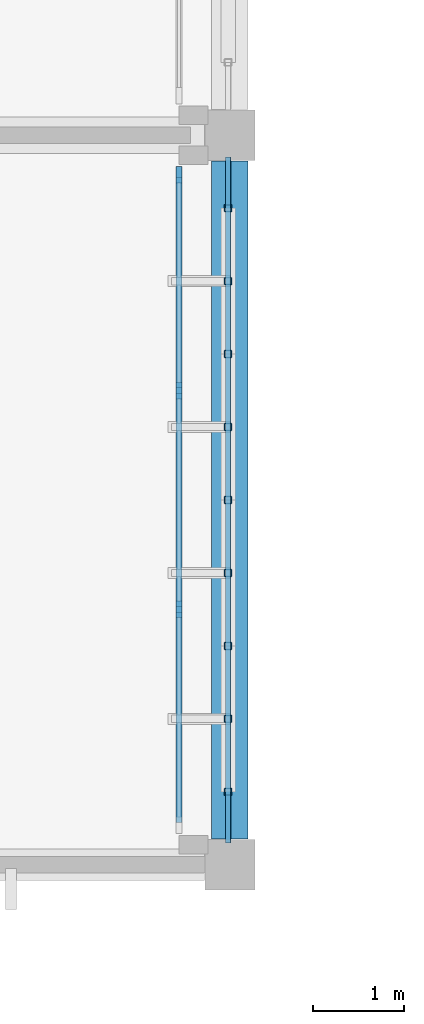
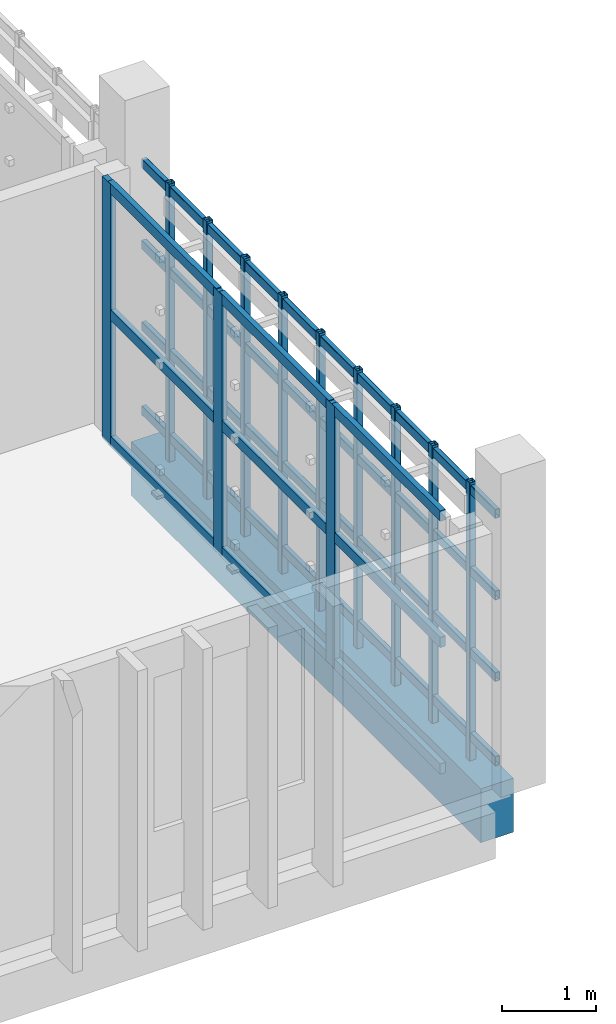
# One storey, part 53 of 83: 25 members, 1 beam, 1 element without a shape of its own.
"""IFC4 building model written with IfcOpenShell, lengths in metres."""

from ifc_helpers import new_model, si_unit, direction, frame, origin, origin_2d, place, context, subcontext, project, spatial, rectangle, hollow_rectangle, extrude, material, layer, layer_set, material_profile, profile_set, type_object, element, aggregate, save


model = new_model("IFC4")

# Units and contexts
model_context = context("Model", 3, precision=1e-05, world=origin(), true_north=direction((0.0, 1.0)))
body_context = subcontext(model_context, "Body", "Model", "MODEL_VIEW")
ifc_project = project(units=[si_unit("LENGTHUNIT", "METRE"), si_unit("AREAUNIT", "SQUARE_METRE"), si_unit("VOLUMEUNIT", "CUBIC_METRE"), si_unit("PLANEANGLEUNIT", "RADIAN"), si_unit("MASSUNIT", "GRAM", prefix="KILO")], contexts=[model_context])

# Site, building, storey
site_placement = place(None, origin())
site = spatial("IfcSite", under=ifc_project, at=site_placement, CompositionType="ELEMENT")
building_placement = place(site_placement, origin())
building = spatial("IfcBuilding", under=site, at=building_placement, Name="Jelvoka-Kovrelna Polytechnic", CompositionType="ELEMENT")
storey_placement = place(building_placement, frame((0.0, 0.0, 13.800048828125)))
storey = spatial("IfcBuildingStorey", under=building, at=storey_placement, Name="L04", CompositionType="ELEMENT", Elevation=13.800048828125)

# Beam
ifc_material_1 = material(Name="Concrete C40/50", Category="concrete")
ifc_material_profile_1 = material_profile(ifc_material_1, rectangle(XDim=0.39990234375, YDim=0.699951171875, at=origin_2d()), Name="RC 400x700")
ifc_profile_set_1 = profile_set([ifc_material_profile_1], Name="Concrete C40/50")
beam_type = type_object("IfcBeamType", Name="Beam_RC_400x700", PredefinedType="BEAM", material=ifc_profile_set_1)
beam_placement = place(storey_placement, frame((192.0, 56.280029296875, -0.60009765625), z_axis=(0.0, 1.0, 0.0), x_axis=(-1.0, 0.0, 0.0)))
element("IfcBeam", 1, at=beam_placement, inside=storey, type_object=beam_type, Name="L04 beam 1340", PredefinedType="BEAM", context=body_context, shape_type="SweptSolid", body=[
    extrude(rectangle(XDim=0.39990234375, YDim=0.699951171875, at=origin_2d()), origin(), (0.0, 0.0, 1.0), 7.43994140625),
])

# Members
ifc_material_2 = material(Name="Structural steel S355J2H", Category="steel")
ifc_material_profile_2 = material_profile(ifc_material_2, hollow_rectangle(XDim=0.06005859375, YDim=0.1201171875, WallThickness=0.0048828125, InnerFilletRadius=0.0048828125, OuterFilletRadius=0.007568359375, at=origin_2d()), Name="120x60x5.0 RHS")
ifc_profile_set_2 = profile_set([ifc_material_profile_2], Name="Structural steel S355J2H")
member_type_1 = type_object("IfcMemberType", Name="Member_Strut_RHS120", PredefinedType="STRUT", material=ifc_profile_set_2)
for number, where, z_axis, x_axis, name in (
    (2, (191.97998046875, 56.239990234375, 0.079833984375), (0.0, 1.0, 0.0), (-1.0, 0.0, 0.0), "L04 terracotta screen horizontal strut 0703"),
    (3, (191.97998046875, 56.239990234375, 1.17138671875), (0.0, 1.0, 0.0), (-1.0, 0.0, 0.0), "L04 terracotta screen horizontal strut 0704"),
    (4, (191.97998046875, 56.239990234375, 2.230712890625), (0.0, 1.0, 0.0), (-1.0, 0.0, 0.0), "L04 terracotta screen horizontal strut 0705"),
    (5, (191.97998046875, 56.239990234375, 3.2900390625), (0.0, 1.0, 0.0), (-1.0, 0.0, 0.0), "L04 terracotta screen horizontal strut 0706"),
):
    element("IfcMember", number, at=place(storey_placement, frame(where, z_axis=z_axis, x_axis=x_axis)), inside=storey, type_object=member_type_1, Name=name, PredefinedType="STRUT", context=body_context, shape_type="SweptSolid", body=[
        extrude(hollow_rectangle(XDim=0.06005859375, YDim=0.1201171875, WallThickness=0.0048828125, InnerFilletRadius=0.0048828125, OuterFilletRadius=0.007568359375, at=origin_2d()), origin(), (0.0, 0.0, 1.0), 7.52001953125),
    ])
ifc_material_3 = material(Name="Structural steel S355J2H", Category="steel")
ifc_material_profile_3 = material_profile(ifc_material_3, hollow_rectangle(XDim=0.080078125, YDim=0.080078125, WallThickness=0.0048828125, InnerFilletRadius=0.0048828125, OuterFilletRadius=0.007568359375, at=origin_2d()), Name="80x80x5.0 SHS")
ifc_profile_set_3 = profile_set([ifc_material_profile_3], Name="Structural steel S355J2H")
member_type_2 = type_object("IfcMemberType", Name="Member_Strut_SHS80", PredefinedType="STRUT", material=ifc_profile_set_3)
for number, where, z_axis, x_axis, name in (
    (6, (191.97998046875, 56.800048828125, -0.22998046875), (0.0, 0.0, 1.0), (1.0, 0.0, 0.0), "L04 terracotta lattice vertical rib 0707"),
    (7, (191.97998046875, 57.60009765625, -0.22998046875), (0.0, 0.0, 1.0), (1.0, 0.0, 0.0), "L04 terracotta lattice vertical rib 0708"),
    (8, (191.97998046875, 58.39990234375, -0.22998046875), (0.0, 0.0, 1.0), (1.0, 0.0, 0.0), "L04 terracotta lattice vertical rib 0709"),
    (9, (191.97998046875, 59.199951171875, -0.22998046875), (0.0, 0.0, 1.0), (1.0, 0.0, 0.0), "L04 terracotta lattice vertical rib 0710"),
    (10, (191.97998046875, 60.0, -0.22998046875), (0.0, 0.0, 1.0), (1.0, 0.0, 0.0), "L04 terracotta lattice vertical rib 0711"),
    (11, (191.97998046875, 60.800048828125, -0.22998046875), (0.0, 0.0, 1.0), (1.0, 0.0, 0.0), "L04 terracotta lattice vertical rib 0712"),
    (12, (191.97998046875, 61.60009765625, -0.22998046875), (0.0, 0.0, 1.0), (1.0, 0.0, 0.0), "L04 terracotta lattice vertical rib 0713"),
    (13, (191.97998046875, 62.39990234375, -0.22998046875), (0.0, 0.0, 1.0), (1.0, 0.0, 0.0), "L04 terracotta lattice vertical rib 0714"),
    (14, (191.97998046875, 63.199951171875, -0.22998046875), (0.0, 0.0, 1.0), (1.0, 0.0, 0.0), "L04 terracotta lattice vertical rib 0715"),
):
    element("IfcMember", number, at=place(storey_placement, frame(where, z_axis=z_axis, x_axis=x_axis)), inside=storey, type_object=member_type_2, Name=name, PredefinedType="STRUT", context=body_context, shape_type="SweptSolid", body=[
        extrude(hollow_rectangle(XDim=0.080078125, YDim=0.080078125, WallThickness=0.0048828125, InnerFilletRadius=0.0048828125, OuterFilletRadius=0.007568359375, at=origin_2d()), origin(), (0.0, 0.0, 1.0), 3.60986328125),
    ])

# Curtain wall, members
ifc_material_4 = material(Name="Anodised aluminium 6063-T6", Category="aluminium")
ifc_layer = layer(ifc_material_4, 0.179931640625)
ifc_layer_set = layer_set([ifc_layer], Name="Anodised aluminium 6063-T6")
curtain_wall_type = type_object("IfcCurtainWallType", Name="CW_Recessed_B", PredefinedType="NOTDEFINED", material=ifc_layer_set)
curtain_wall_placement = place(storey_placement, origin())
curtain_wall = element("IfcCurtainWall", 15, at=curtain_wall_placement, inside=storey, type_object=curtain_wall_type, Name="L04 glazed curtain wall 087", PredefinedType="NOTDEFINED")
ifc_material_5 = material(Name="Anodised aluminium 6063-T6", Category="aluminium")
ifc_material_profile_4 = material_profile(ifc_material_5, rectangle(XDim=0.06494140625, YDim=0.179931640625, at=origin_2d()), Name="ALU 65x180")
ifc_profile_set_4 = profile_set([ifc_material_profile_4], Name="Anodised aluminium 6063-T6")
member_type_3 = type_object("IfcMemberType", Name="Mullion_M-02", PredefinedType="MULLION", material=ifc_profile_set_4)
member_1_placement = place(storey_placement, frame((191.43994140625, 63.5673828125, -0.02490234375), z_axis=(0.0, 0.0, 1.0), x_axis=(1.0, 0.0, 0.0)))
member_1 = element("IfcMember", 16, at=member_1_placement, type_object=member_type_3, Name="CW-02 mullion 1", PredefinedType="MULLION", context=body_context, shape_type="SweptSolid", body=[
    extrude(rectangle(XDim=0.06494140625, YDim=0.179931640625, at=origin_2d()), origin(), (0.0, 0.0, 1.0), 3.39990234375),
])
member_2_placement = place(storey_placement, frame((191.43994140625, 61.199951171875, -0.02490234375), z_axis=(0.0, 0.0, 1.0), x_axis=(1.0, 0.0, 0.0)))
member_2 = element("IfcMember", 17, at=member_2_placement, type_object=member_type_3, Name="CW-02 mullion 2", PredefinedType="MULLION", context=body_context, shape_type="SweptSolid", body=[
    extrude(rectangle(XDim=0.06494140625, YDim=0.179931640625, at=origin_2d()), origin(), (0.0, 0.0, 1.0), 3.39990234375),
])
member_3_placement = place(storey_placement, frame((191.43994140625, 58.800048828125, -0.02490234375), z_axis=(0.0, 0.0, 1.0), x_axis=(1.0, 0.0, 0.0)))
member_3 = element("IfcMember", 18, at=member_3_placement, type_object=member_type_3, Name="CW-02 mullion 3", PredefinedType="MULLION", context=body_context, shape_type="SweptSolid", body=[
    extrude(rectangle(XDim=0.06494140625, YDim=0.179931640625, at=origin_2d()), origin(), (0.0, 0.0, 1.0), 3.39990234375),
])
ifc_material_6 = material(Name="Anodised aluminium 6063-T6", Category="aluminium")
ifc_material_profile_5 = material_profile(ifc_material_6, rectangle(XDim=0.06494140625, YDim=0.135009765625, at=origin_2d()), Name="ALU 65x135")
ifc_profile_set_5 = profile_set([ifc_material_profile_5], Name="Anodised aluminium 6063-T6")
member_type_4 = type_object("IfcMemberType", Name="Transom_T-02", PredefinedType="USERDEFINED", material=ifc_profile_set_5)
member_4_placement = place(storey_placement, frame((191.43994140625, 63.534912109375, 0.032470703125), z_axis=(0.0, -1.0, 0.0), x_axis=(1.0, 0.0, 0.0)))
member_4 = element("IfcMember", 19, at=member_4_placement, type_object=member_type_4, Name="CW-02 transom 1.1", ObjectType="TRANSOM", PredefinedType="USERDEFINED", context=body_context, shape_type="SweptSolid", body=[
    extrude(rectangle(XDim=0.06494140625, YDim=0.135009765625, at=origin_2d()), origin(), (0.0, 0.0, 1.0), 2.302490234375),
])
member_5_placement = place(storey_placement, frame((191.43994140625, 63.534912109375, 1.675048828125), z_axis=(0.0, -1.0, 0.0), x_axis=(1.0, 0.0, 0.0)))
member_5 = element("IfcMember", 20, at=member_5_placement, type_object=member_type_4, Name="CW-02 transom 1.2", ObjectType="TRANSOM", PredefinedType="USERDEFINED", context=body_context, shape_type="SweptSolid", body=[
    extrude(rectangle(XDim=0.06494140625, YDim=0.135009765625, at=origin_2d()), origin(), (0.0, 0.0, 1.0), 2.302490234375),
])
member_6_placement = place(storey_placement, frame((191.43994140625, 63.534912109375, 3.3173828125), z_axis=(0.0, -1.0, 0.0), x_axis=(1.0, 0.0, 0.0)))
member_6 = element("IfcMember", 21, at=member_6_placement, type_object=member_type_4, Name="CW-02 transom 1.3", ObjectType="TRANSOM", PredefinedType="USERDEFINED", context=body_context, shape_type="SweptSolid", body=[
    extrude(rectangle(XDim=0.06494140625, YDim=0.135009765625, at=origin_2d()), origin(), (0.0, 0.0, 1.0), 2.302490234375),
])
member_7_placement = place(storey_placement, frame((191.43994140625, 61.16748046875, 0.032470703125), z_axis=(0.0, -1.0, 0.0), x_axis=(1.0, 0.0, 0.0)))
member_7 = element("IfcMember", 22, at=member_7_placement, type_object=member_type_4, Name="CW-02 transom 2.1", ObjectType="TRANSOM", PredefinedType="USERDEFINED", context=body_context, shape_type="SweptSolid", body=[
    extrude(rectangle(XDim=0.06494140625, YDim=0.135009765625, at=origin_2d()), origin(), (0.0, 0.0, 1.0), 2.3349609375),
])
member_8_placement = place(storey_placement, frame((191.43994140625, 61.16748046875, 1.675048828125), z_axis=(0.0, -1.0, 0.0), x_axis=(1.0, 0.0, 0.0)))
member_8 = element("IfcMember", 23, at=member_8_placement, type_object=member_type_4, Name="CW-02 transom 2.2", ObjectType="TRANSOM", PredefinedType="USERDEFINED", context=body_context, shape_type="SweptSolid", body=[
    extrude(rectangle(XDim=0.06494140625, YDim=0.135009765625, at=origin_2d()), origin(), (0.0, 0.0, 1.0), 2.3349609375),
])
member_9_placement = place(storey_placement, frame((191.43994140625, 61.16748046875, 3.3173828125), z_axis=(0.0, -1.0, 0.0), x_axis=(1.0, 0.0, 0.0)))
member_9 = element("IfcMember", 24, at=member_9_placement, type_object=member_type_4, Name="CW-02 transom 2.3", ObjectType="TRANSOM", PredefinedType="USERDEFINED", context=body_context, shape_type="SweptSolid", body=[
    extrude(rectangle(XDim=0.06494140625, YDim=0.135009765625, at=origin_2d()), origin(), (0.0, 0.0, 1.0), 2.3349609375),
])
member_10_placement = place(storey_placement, frame((191.43994140625, 58.767578125, 0.032470703125), z_axis=(0.0, -1.0, 0.0), x_axis=(1.0, 0.0, 0.0)))
member_10 = element("IfcMember", 25, at=member_10_placement, type_object=member_type_4, Name="CW-02 transom 3.1", ObjectType="TRANSOM", PredefinedType="USERDEFINED", context=body_context, shape_type="SweptSolid", body=[
    extrude(rectangle(XDim=0.06494140625, YDim=0.135009765625, at=origin_2d()), origin(), (0.0, 0.0, 1.0), 2.302490234375),
])
member_11_placement = place(storey_placement, frame((191.43994140625, 58.767578125, 1.675048828125), z_axis=(0.0, -1.0, 0.0), x_axis=(1.0, 0.0, 0.0)))
member_11 = element("IfcMember", 26, at=member_11_placement, type_object=member_type_4, Name="CW-02 transom 3.2", ObjectType="TRANSOM", PredefinedType="USERDEFINED", context=body_context, shape_type="SweptSolid", body=[
    extrude(rectangle(XDim=0.06494140625, YDim=0.135009765625, at=origin_2d()), origin(), (0.0, 0.0, 1.0), 2.302490234375),
])
member_12_placement = place(storey_placement, frame((191.43994140625, 58.767578125, 3.3173828125), z_axis=(0.0, -1.0, 0.0), x_axis=(1.0, 0.0, 0.0)))
member_12 = element("IfcMember", 27, at=member_12_placement, type_object=member_type_4, Name="CW-02 transom 3.3", ObjectType="TRANSOM", PredefinedType="USERDEFINED", context=body_context, shape_type="SweptSolid", body=[
    extrude(rectangle(XDim=0.06494140625, YDim=0.135009765625, at=origin_2d()), origin(), (0.0, 0.0, 1.0), 2.302490234375),
])
aggregate(curtain_wall, [member_1, member_2, member_3, member_4, member_5, member_6, member_7, member_8, member_9, member_10, member_11, member_12])

save(model, "model.ifc")
